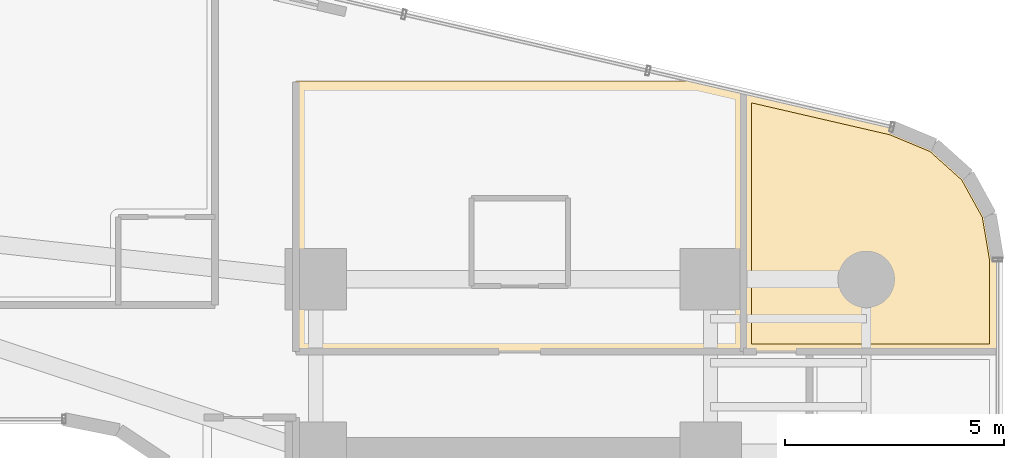
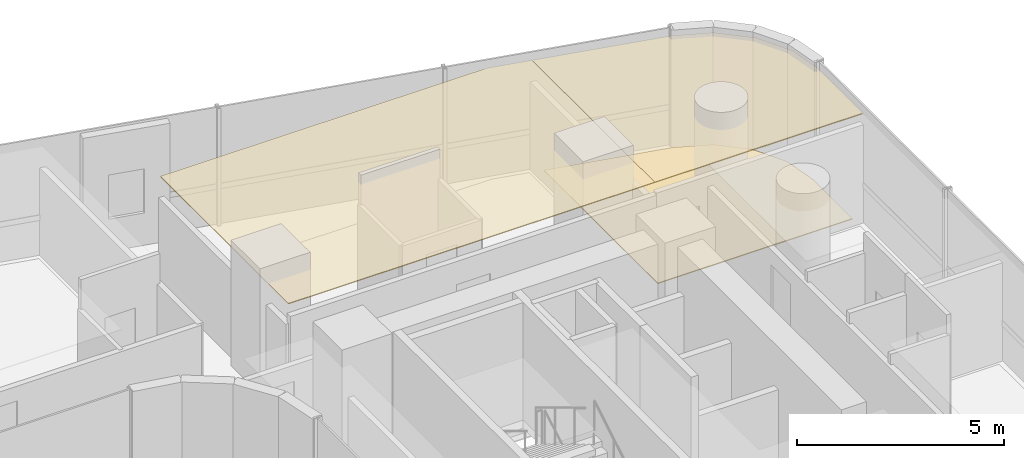
# One storey, part 42 of 42: 3 coverings.
"""IFC4 building model written with IfcOpenShell, lengths in metres."""

from ifc_helpers import new_model, si_unit, direction, frame, origin, place, context, subcontext, project, spatial, polyline, outline, extrude, material, layer, layer_set, type_object, element, save


model = new_model("IFC4")

# Units and contexts
model_context = context("Model", 3, precision=1e-05, world=origin(), true_north=direction((0.0, 1.0)))
body_context = subcontext(model_context, "Body", "Model", "MODEL_VIEW")
ifc_project = project(units=[si_unit("LENGTHUNIT", "METRE"), si_unit("AREAUNIT", "SQUARE_METRE"), si_unit("VOLUMEUNIT", "CUBIC_METRE"), si_unit("PLANEANGLEUNIT", "RADIAN"), si_unit("MASSUNIT", "GRAM", prefix="KILO")], contexts=[model_context])

# Site, building, storey
site_placement = place(None, origin())
site = spatial("IfcSite", under=ifc_project, at=site_placement, CompositionType="ELEMENT")
building_placement = place(site_placement, origin())
building = spatial("IfcBuilding", under=site, at=building_placement, Name="Valdorenza Pilgrim Sanctuary Tower", CompositionType="ELEMENT")
storey_placement = place(building_placement, frame((0.0, 0.0, 29.699951171875)))
storey = spatial("IfcBuildingStorey", under=building, at=storey_placement, Name="L06", CompositionType="ELEMENT", Elevation=29.699951171875)

# Coverings
ifc_material_1 = material(Name="Micro-perforated acoustic mineral ceiling tile", Category="gypsum")
ifc_layer_1 = layer(ifc_material_1, 0.02490234375, Name="Micro-perforated acoustic mineral ceiling tile")
ifc_layer_set_1 = layer_set([ifc_layer_1], Name="Micro-perforated acoustic mineral ceiling tile")
covering_type_1 = type_object("IfcCoveringType", Name="COV-CLG-ACU", PredefinedType="CEILING", material=ifc_layer_set_1)
covering_1_placement = place(storey_placement, frame((0.0, 0.0, 3.16015625)))
element("IfcCovering", 1, at=covering_1_placement, inside=storey, type_object=covering_type_1, Name="L06 East North Guest Room L06-EN1 Acoustic Ceiling", PredefinedType="CEILING", context=body_context, shape_type="SweptSolid", body=[
    extrude(outline(polyline([(24.5107421875, 18.014892578125), (24.512451171875, 18.014892578125), (24.51416015625, 18.0146484375), (25.603515625, 17.76318359375), (25.604736328125, 17.762939453125), (25.606201171875, 17.76220703125), (25.607421875, 17.76171875), (25.608642578125, 17.760986328125), (25.609619140625, 17.760009765625), (25.61083984375, 17.759033203125), (25.61181640625, 17.758056640625), (25.612548828125, 17.7568359375), (25.61328125, 17.755615234375), (25.614013671875, 17.75439453125), (25.614501953125, 17.7529296875), (25.61474609375, 17.75146484375), (25.614990234375, 17.75), (25.614990234375, 17.74853515625), (25.614990234375, 11.85009765625), (25.614990234375, 11.848388671875), (25.61474609375, 11.84716796875), (25.614501953125, 11.845703125), (25.614013671875, 11.84423828125), (25.61328125, 11.843017578125), (25.612548828125, 11.841796875), (25.611572265625, 11.840576171875), (25.610595703125, 11.83935546875), (25.609619140625, 11.83837890625), (25.6083984375, 11.83740234375), (25.607177734375, 11.8369140625), (25.605712890625, 11.836181640625), (25.6044921875, 11.835693359375), (25.602783203125, 11.835205078125), (25.6015625, 11.835205078125), (25.60009765625, 11.8349609375), (15.39990234375, 11.8349609375), (15.3984375, 11.835205078125), (15.397216796875, 11.835205078125), (15.3955078125, 11.835693359375), (15.394287109375, 11.836181640625), (15.392822265625, 11.8369140625), (15.3916015625, 11.83740234375), (15.390380859375, 11.83837890625), (15.389404296875, 11.83935546875), (15.388427734375, 11.840576171875), (15.387451171875, 11.841796875), (15.38671875, 11.843017578125), (15.385986328125, 11.84423828125), (15.385498046875, 11.845703125), (15.38525390625, 11.84716796875), (15.385009765625, 11.848388671875), (15.385009765625, 11.85009765625), (15.385009765625, 18.0), (15.385009765625, 18.00146484375), (15.38525390625, 18.0029296875), (15.385498046875, 18.00439453125), (15.385986328125, 18.005615234375), (15.38671875, 18.007080078125), (15.387451171875, 18.00830078125), (15.388427734375, 18.009521484375), (15.389404296875, 18.010498046875), (15.390380859375, 18.01171875), (15.3916015625, 18.012451171875), (15.392822265625, 18.01318359375), (15.394287109375, 18.013916015625), (15.3955078125, 18.014404296875), (15.397216796875, 18.0146484375), (15.3984375, 18.014892578125), (15.39990234375, 18.014892578125), (24.5107421875, 18.014892578125)])), origin(), (0.0, 0.0, 1.0), 0.02490234375),
])
covering_2_placement = place(storey_placement, frame((0.0, 0.0, 3.16015625)))
element("IfcCovering", 2, at=covering_2_placement, inside=storey, type_object=covering_type_1, Name="L06 East Wing Reference Library L06-BNE Acoustic Ceiling", PredefinedType="CEILING", context=body_context, shape_type="SweptSolid", body=[
    extrude(outline(polyline([(28.9892578125, 16.98193359375), (28.990478515625, 16.981689453125), (28.99169921875, 16.981201171875), (29.95361328125, 16.580322265625), (29.955078125, 16.57958984375), (29.95654296875, 16.57861328125), (29.9580078125, 16.57763671875), (30.72705078125, 15.88818359375), (30.728271484375, 15.886962890625), (30.729248046875, 15.8857421875), (30.72998046875, 15.88427734375), (31.22900390625, 14.97998046875), (31.2294921875, 14.978271484375), (31.230224609375, 14.976806640625), (31.230712890625, 14.97509765625), (31.40478515625, 13.947509765625), (31.40478515625, 13.9462890625), (31.405029296875, 13.945068359375), (31.405029296875, 11.85009765625), (31.40478515625, 11.848388671875), (31.40478515625, 11.84716796875), (31.404296875, 11.845703125), (31.40380859375, 11.84423828125), (31.4033203125, 11.843017578125), (31.402587890625, 11.841796875), (31.401611328125, 11.840576171875), (31.400634765625, 11.83935546875), (31.3994140625, 11.83837890625), (31.398193359375, 11.83740234375), (31.397216796875, 11.8369140625), (31.395751953125, 11.836181640625), (31.394287109375, 11.835693359375), (31.392822265625, 11.835205078125), (31.3916015625, 11.835205078125), (31.389892578125, 11.8349609375), (25.60205078125, 11.8349609375), (25.6005859375, 11.835205078125), (25.59912109375, 11.835205078125), (25.59765625, 11.835693359375), (25.59619140625, 11.836181640625), (25.594970703125, 11.8369140625), (25.59375, 11.83740234375), (25.592529296875, 11.83837890625), (25.59130859375, 11.83935546875), (25.59033203125, 11.840576171875), (25.589599609375, 11.841796875), (25.5888671875, 11.843017578125), (25.588134765625, 11.84423828125), (25.587646484375, 11.845703125), (25.58740234375, 11.84716796875), (25.587158203125, 11.848388671875), (25.5869140625, 11.85009765625), (25.5869140625, 17.748291015625), (25.587158203125, 17.749755859375), (25.58740234375, 17.751220703125), (25.587646484375, 17.752685546875), (25.588134765625, 17.75390625), (25.5888671875, 17.75537109375), (25.589599609375, 17.756591796875), (25.590576171875, 17.7578125), (25.591552734375, 17.7587890625), (25.5927734375, 17.760009765625), (25.593994140625, 17.7607421875), (25.59521484375, 17.761474609375), (25.596435546875, 17.76220703125), (25.597900390625, 17.7626953125), (25.599365234375, 17.762939453125), (25.600830078125, 17.76318359375), (25.602294921875, 17.76318359375), (25.60400390625, 17.76318359375), (25.60546875, 17.7626953125), (28.9892578125, 16.98193359375)])), origin(), (0.0, 0.0, 1.0), 0.02490234375),
])
ifc_material_2 = material(Name="Honed travertine stone flooring", Category="masonry")
ifc_layer_2 = layer(ifc_material_2, 0.030029296875, Name="Honed travertine stone flooring")
ifc_layer_set_2 = layer_set([ifc_layer_2], Name="Honed travertine stone flooring")
covering_type_2 = type_object("IfcCoveringType", Name="COV-FLR-TRV", PredefinedType="FLOORING", material=ifc_layer_set_2)
covering_3_placement = place(storey_placement, origin())
element("IfcCovering", 3, at=covering_3_placement, inside=storey, type_object=covering_type_2, Name="L06 East Wing Reference Library L06-BNE Flooring", PredefinedType="FLOORING", context=body_context, shape_type="SweptSolid", body=[
    extrude(outline(polyline([(28.9306640625, 16.79541015625), (29.8505859375, 16.412109375), (30.57421875, 15.763427734375), (31.04345703125, 14.912353515625), (31.2099609375, 13.929931640625), (31.2099609375, 12.030029296875), (25.781982421875, 12.030029296875), (25.781982421875, 17.52197265625), (28.9306640625, 16.79541015625)])), origin(), (0.0, 0.0, 1.0), 0.025146484375),
])

save(model, "model.ifc")
